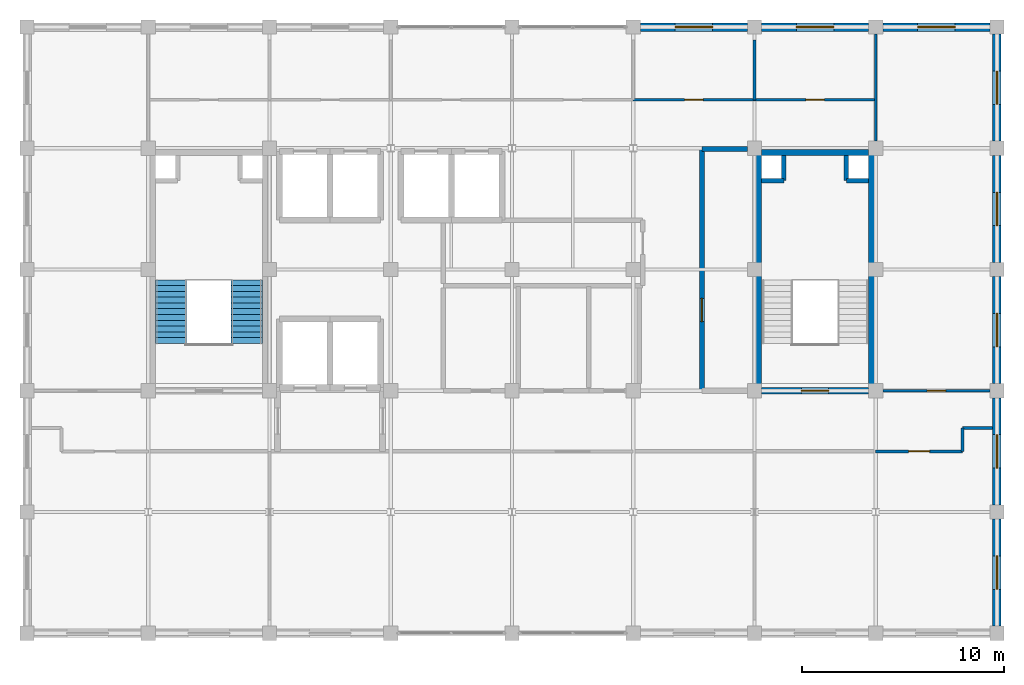
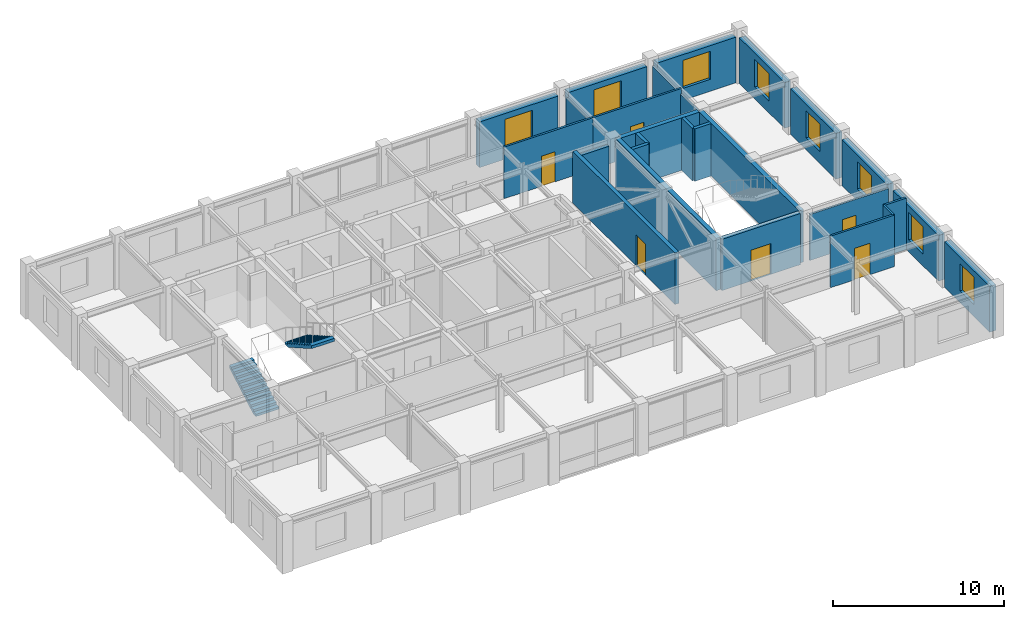
# One storey, part 11 of 13: 26 walls, 8 windows, 6 doors, 2 stair flights, 14 openings, 1 element without a shape of its own.
"""IFC4 building model written with IfcOpenShell, lengths in metres."""

from ifc_helpers import new_model, si_unit, direction, frame, frame_2d, origin, place, context, subcontext, project, spatial, polyline, rectangle, outline, extrude, material, layer, layer_set, type_object, element, fill, aggregate, save


model = new_model("IFC4")

# Units and contexts
model_context = context("Model", 3, precision=1e-05, world=origin(), true_north=direction((0.0, 1.0)))
body_context = subcontext(model_context, "Body", "Model", "MODEL_VIEW")
ifc_project = project(units=[si_unit("LENGTHUNIT", "METRE"), si_unit("AREAUNIT", "SQUARE_METRE"), si_unit("VOLUMEUNIT", "CUBIC_METRE"), si_unit("PLANEANGLEUNIT", "RADIAN"), si_unit("MASSUNIT", "GRAM", prefix="KILO")], contexts=[model_context])

# Site, building, storey
site_placement = place(None, origin())
site = spatial("IfcSite", under=ifc_project, at=site_placement, CompositionType="ELEMENT")
building_placement = place(site_placement, origin())
building = spatial("IfcBuilding", under=site, at=building_placement, Name="Zlatovratsky Civic Hall", CompositionType="ELEMENT")
storey_placement = place(building_placement, frame((0.0, 0.0, 48.300048828125)))
storey = spatial("IfcBuildingStorey", under=building, at=storey_placement, Name="L12", CompositionType="ELEMENT", Elevation=48.300048828125)

# Wall, opening, door
ifc_material_1 = material(Name="Acoustic ceramic blockwork", Category="masonry")
ifc_layer_1 = layer(ifc_material_1, 0.260009765625)
ifc_layer_set_1 = layer_set([ifc_layer_1], Name="Acoustic ceramic blockwork")
wall_type_1 = type_object("IfcWallType", Name="Wall_ArchiveCompartment_260", PredefinedType="PARTITIONING", material=ifc_layer_set_1)
wall_1_placement = place(storey_placement, frame((93.39990234375, 84.0, 0.0), z_axis=(0.0, 0.0, 1.0), x_axis=(0.0, 1.0, 0.0)))
wall_1 = element("IfcWall", 1, at=wall_1_placement, inside=storey, type_object=wall_type_1, Name="WL-6564", PredefinedType="PARTITIONING", context=body_context, shape_type="SweptSolid", body=[
    extrude(rectangle(XDim=11.9599609375, YDim=0.260009765625, at=frame_2d((5.97998046875, 0.0))), origin(), (0.0, 0.0, 1.0), 3.679931640625),
])
opening_1_placement = place(wall_1_placement, frame((3.425048828125, 0.0, 0.0)))
opening_1 = element("IfcOpeningElement", 2, at=opening_1_placement, cuts=wall_1, Name="Opening D-31", PredefinedType="OPENING", context=body_context, shape_type="SweptSolid", body=[
    extrude(rectangle(XDim=1.14990234375, YDim=2.199951171875, at=frame_2d((0.574951171875, 1.10009765625))), frame((0.0, 0.14501953125, 0.0), z_axis=(0.0, -1.0, 0.0), x_axis=(1.0, 0.0, 0.0)), (0.0, 0.0, 1.0), 0.289794921875),
])
ifc_material_2 = material(Name="Insulated painted fire-rated steel leaf", Category="steel")
door_type_1 = type_object("IfcDoorType", Name="Door_RecordsVault_1150x2200", OperationType="NOTDEFINED", PredefinedType="DOOR", material=ifc_material_2)
door_1_placement = place(opening_1_placement, origin())
door_1 = element("IfcDoor", 3, at=door_1_placement, inside=storey, type_object=door_type_1, Name="DR-5467", OperationType="SINGLE_SWING_LEFT", OverallHeight=2.199951171875, OverallWidth=1.14990234375, PredefinedType="DOOR", context=body_context, shape_type="SweptSolid", body=[
    extrude(rectangle(XDim=1.14990234375, YDim=2.199951171875, at=frame_2d((0.574951171875, 1.10009765625))), frame((0.0, 0.02490234375, 0.0), z_axis=(0.0, -1.0, 0.0), x_axis=(1.0, 0.0, 0.0)), (0.0, 0.0, 1.0), 0.050048828125),
])
fill(opening_1, door_1)

# Wall
wall_2_placement = place(storey_placement, frame((93.39990234375, 95.9599609375, 0.0), z_axis=(0.0, 0.0, 1.0), x_axis=(1.0, 0.0, 0.0)))
element("IfcWall", 4, at=wall_2_placement, inside=storey, type_object=wall_type_1, Name="WL-6566", PredefinedType="PARTITIONING", context=body_context, shape_type="SweptSolid", body=[
    extrude(rectangle(XDim=2.25, YDim=0.260009765625, at=frame_2d((1.125, 0.0))), origin(), (0.0, 0.0, 1.0), 3.287841796875),
])

# Wall, opening, door
ifc_material_3 = material(Name="Fire-rated gypsum board framing", Category="gypsum")
ifc_layer_2 = layer(ifc_material_3, 0.139892578125)
ifc_layer_set_2 = layer_set([ifc_layer_2], Name="Fire-rated gypsum board framing")
wall_type_2 = type_object("IfcWallType", Name="Wall_OfficePartition_140", PredefinedType="PARTITIONING", material=ifc_layer_set_2)
wall_3_placement = place(storey_placement, frame((102.0, 81.0, 0.0), z_axis=(0.0, 0.0, 1.0), x_axis=(1.0, 0.0, 0.0)))
wall_3 = element("IfcWall", 5, at=wall_3_placement, inside=storey, type_object=wall_type_2, Name="WL-6578", PredefinedType="PARTITIONING", context=body_context, shape_type="SweptSolid", body=[
    extrude(rectangle(XDim=4.300048828125, YDim=0.139892578125, at=frame_2d((2.14990234375, 0.0))), origin(), (0.0, 0.0, 1.0), 3.679931640625),
])
opening_2_placement = place(wall_3_placement, frame((1.625, 0.0, 0.0)))
opening_2 = element("IfcOpeningElement", 6, at=opening_2_placement, cuts=wall_3, Name="Opening D-24", PredefinedType="OPENING", context=body_context, shape_type="SweptSolid", body=[
    extrude(rectangle(XDim=1.050048828125, YDim=2.25, at=frame_2d((0.52490234375, 1.125))), frame((0.0, 0.0849609375, 0.0), z_axis=(0.0, -1.0, 0.0), x_axis=(1.0, 0.0, 0.0)), (0.0, 0.0, 1.0), 0.169677734375),
])
ifc_material_4 = material(Name="Solid oak joinery in steel frame", Category="steel")
door_type_2 = type_object("IfcDoorType", Name="Door_DirectorateOffice_1050x2250", OperationType="NOTDEFINED", PredefinedType="DOOR", material=ifc_material_4)
door_2_placement = place(opening_2_placement, origin())
door_2 = element("IfcDoor", 7, at=door_2_placement, inside=storey, type_object=door_type_2, Name="DR-5476", OperationType="SINGLE_SWING_RIGHT", OverallHeight=2.25, OverallWidth=1.050048828125, PredefinedType="DOOR", context=body_context, shape_type="SweptSolid", body=[
    extrude(rectangle(XDim=1.050048828125, YDim=2.25, at=frame_2d((0.52490234375, 1.125))), frame((0.0, 0.02490234375, 0.0), z_axis=(0.0, -1.0, 0.0), x_axis=(1.0, 0.0, 0.0)), (0.0, 0.0, 1.0), 0.050048828125),
])
fill(opening_2, door_2)

wall_4_placement = place(storey_placement, frame((102.35009765625, 84.0, 0.0), z_axis=(0.0, 0.0, 1.0), x_axis=(1.0, 0.0, 0.0)))
wall_4 = element("IfcWall", 8, at=wall_4_placement, inside=storey, type_object=wall_type_2, Name="WL-6580", PredefinedType="PARTITIONING", context=body_context, shape_type="SweptSolid", body=[
    extrude(rectangle(XDim=5.2998046875, YDim=0.139892578125, at=frame_2d((2.64990234375, 0.0))), origin(), (0.0, 0.0, 1.0), 3.287841796875),
])
opening_3_placement = place(wall_4_placement, frame((2.18994140625, 0.0, 0.0)))
opening_3 = element("IfcOpeningElement", 9, at=opening_3_placement, cuts=wall_4, Name="Opening D-23", PredefinedType="OPENING", context=body_context, shape_type="SweptSolid", body=[
    extrude(rectangle(XDim=0.919921875, YDim=2.14990234375, at=frame_2d((0.4599609375, 1.074951171875))), frame((0.0, 0.0849609375, 0.0), z_axis=(0.0, -1.0, 0.0), x_axis=(1.0, 0.0, 0.0)), (0.0, 0.0, 1.0), 0.169677734375),
])
door_type_3 = type_object("IfcDoorType", Name="Door_OfficeStandard_920x2150", OperationType="NOTDEFINED", PredefinedType="DOOR", material=ifc_material_4)
door_3_placement = place(opening_3_placement, origin())
door_3 = element("IfcDoor", 10, at=door_3_placement, inside=storey, type_object=door_type_3, Name="DR-5478", OperationType="SINGLE_SWING_LEFT", OverallHeight=2.14990234375, OverallWidth=0.919921875, PredefinedType="DOOR", context=body_context, shape_type="SweptSolid", body=[
    extrude(rectangle(XDim=0.919921875, YDim=2.14990234375, at=frame_2d((0.4599609375, 1.074951171875))), frame((0.0, 0.02490234375, 0.0), z_axis=(0.0, -1.0, 0.0), x_axis=(1.0, 0.0, 0.0)), (0.0, 0.0, 1.0), 0.050048828125),
])
fill(opening_3, door_3)

wall_5_placement = place(storey_placement, frame((90.0, 98.39990234375, 0.0), z_axis=(0.0, 0.0, 1.0), x_axis=(1.0, 0.0, 0.0)))
wall_5 = element("IfcWall", 11, at=wall_5_placement, inside=storey, type_object=wall_type_2, Name="WL-6585", PredefinedType="PARTITIONING", context=body_context, shape_type="SweptSolid", body=[
    extrude(rectangle(XDim=6.0, YDim=0.139892578125, at=frame_2d((3.0, 0.0))), origin(), (0.0, 0.0, 1.0), 3.679931640625),
])
opening_4_placement = place(wall_5_placement, frame((2.5400390625, 0.0, 0.0)))
opening_4 = element("IfcOpeningElement", 12, at=opening_4_placement, cuts=wall_5, Name="Opening D-23", PredefinedType="OPENING", context=body_context, shape_type="SweptSolid", body=[
    extrude(rectangle(XDim=0.919921875, YDim=2.14990234375, at=frame_2d((0.4599609375, 1.074951171875))), frame((0.0, 0.0849609375, 0.0), z_axis=(0.0, -1.0, 0.0), x_axis=(1.0, 0.0, 0.0)), (0.0, 0.0, 1.0), 0.169677734375),
])
door_4_placement = place(opening_4_placement, origin())
door_4 = element("IfcDoor", 13, at=door_4_placement, inside=storey, type_object=door_type_3, Name="DR-5483", OperationType="SINGLE_SWING_RIGHT", OverallHeight=2.14990234375, OverallWidth=0.919921875, PredefinedType="DOOR", context=body_context, shape_type="SweptSolid", body=[
    extrude(rectangle(XDim=0.919921875, YDim=2.14990234375, at=frame_2d((0.4599609375, 1.074951171875))), frame((0.0, 0.02490234375, 0.0), z_axis=(0.0, -1.0, 0.0), x_axis=(1.0, 0.0, 0.0)), (0.0, 0.0, 1.0), 0.050048828125),
])
fill(opening_4, door_4)

wall_6_placement = place(storey_placement, frame((96.0, 98.39990234375, 0.0), z_axis=(0.0, 0.0, 1.0), x_axis=(1.0, 0.0, 0.0)))
wall_6 = element("IfcWall", 14, at=wall_6_placement, inside=storey, type_object=wall_type_2, Name="WL-6586", PredefinedType="PARTITIONING", context=body_context, shape_type="SweptSolid", body=[
    extrude(rectangle(XDim=6.0, YDim=0.139892578125, at=frame_2d((3.0, 0.0))), origin(), (0.0, 0.0, 1.0), 3.679931640625),
])
opening_5_placement = place(wall_6_placement, frame((2.5400390625, 0.0, 0.0)))
opening_5 = element("IfcOpeningElement", 15, at=opening_5_placement, cuts=wall_6, Name="Opening D-23", PredefinedType="OPENING", context=body_context, shape_type="SweptSolid", body=[
    extrude(rectangle(XDim=0.919921875, YDim=2.14990234375, at=frame_2d((0.4599609375, 1.074951171875))), frame((0.0, 0.0849609375, 0.0), z_axis=(0.0, -1.0, 0.0), x_axis=(1.0, 0.0, 0.0)), (0.0, 0.0, 1.0), 0.169677734375),
])
door_5_placement = place(opening_5_placement, origin())
door_5 = element("IfcDoor", 16, at=door_5_placement, inside=storey, type_object=door_type_3, Name="DR-5484", OperationType="SINGLE_SWING_RIGHT", OverallHeight=2.14990234375, OverallWidth=0.919921875, PredefinedType="DOOR", context=body_context, shape_type="SweptSolid", body=[
    extrude(rectangle(XDim=0.919921875, YDim=2.14990234375, at=frame_2d((0.4599609375, 1.074951171875))), frame((0.0, 0.02490234375, 0.0), z_axis=(0.0, -1.0, 0.0), x_axis=(1.0, 0.0, 0.0)), (0.0, 0.0, 1.0), 0.050048828125),
])
fill(opening_5, door_5)

# Walls
wall_7_placement = place(storey_placement, frame((96.0, 98.39990234375, 0.0), z_axis=(0.0, 0.0, 1.0), x_axis=(0.0, 1.0, 0.0)))
element("IfcWall", 17, at=wall_7_placement, inside=storey, type_object=wall_type_2, Name="WL-6593", PredefinedType="PARTITIONING", context=body_context, shape_type="SweptSolid", body=[
    extrude(rectangle(XDim=2.9501953125, YDim=0.139892578125, at=frame_2d((1.47509765625, 0.0))), origin(), (0.0, 0.0, 1.0), 3.287841796875),
])
wall_8_placement = place(storey_placement, frame((106.300048828125, 81.0, 0.0), z_axis=(0.0, 0.0, 1.0), x_axis=(0.0, 1.0, 0.0)))
element("IfcWall", 18, at=wall_8_placement, inside=storey, type_object=wall_type_2, Name="WL-6602", PredefinedType="PARTITIONING", context=body_context, shape_type="SweptSolid", body=[
    extrude(rectangle(XDim=1.14990234375, YDim=0.139892578125, at=frame_2d((0.574951171875, 0.0))), origin(), (0.0, 0.0, 1.0), 3.679931640625),
])
wall_9_placement = place(storey_placement, frame((106.300048828125, 82.14990234375, 0.0), z_axis=(0.0, 0.0, 1.0), x_axis=(1.0, 0.0, 0.0)))
element("IfcWall", 19, at=wall_9_placement, inside=storey, type_object=wall_type_2, Name="WL-6603", PredefinedType="PARTITIONING", context=body_context, shape_type="SweptSolid", body=[
    extrude(rectangle(XDim=1.489990234375, YDim=0.139892578125, at=frame_2d((0.7451171875, 0.0))), origin(), (0.0, 0.0, 1.0), 3.679931640625),
])
wall_10_placement = place(storey_placement, frame((102.0, 96.35009765625, 0.0), z_axis=(0.0, 0.0, 1.0), x_axis=(0.0, 1.0, 0.0)))
element("IfcWall", 20, at=wall_10_placement, inside=storey, type_object=wall_type_2, Name="WL-6605", PredefinedType="PARTITIONING", context=body_context, shape_type="SweptSolid", body=[
    extrude(rectangle(XDim=5.2998046875, YDim=0.139892578125, at=frame_2d((2.64990234375, 0.0))), origin(), (0.0, 0.0, 1.0), 3.287841796875),
])
ifc_layer_3 = layer(ifc_material_1, 0.219970703125)
ifc_layer_set_3 = layer_set([ifc_layer_3], Name="Acoustic ceramic blockwork")
wall_type_3 = type_object("IfcWallType", Name="Wall_SanitaryWetCore_220", PredefinedType="PARTITIONING", material=ifc_layer_set_3)
wall_11_placement = place(storey_placement, frame((97.449951171875, 94.39990234375, 0.0), z_axis=(0.0, 0.0, 1.0), x_axis=(0.0, 1.0, 0.0)))
element("IfcWall", 21, at=wall_11_placement, inside=storey, type_object=wall_type_3, Name="WL-5259", PredefinedType="PARTITIONING", context=body_context, shape_type="SweptSolid", body=[
    extrude(rectangle(XDim=1.25, YDim=0.219970703125, at=frame_2d((0.625, 0.0))), origin(), (0.0, 0.0, 1.0), 3.739990234375),
])
wall_12_placement = place(storey_placement, frame((96.35009765625, 94.39990234375, 0.0), z_axis=(0.0, 0.0, 1.0), x_axis=(1.0, 0.0, 0.0)))
element("IfcWall", 22, at=wall_12_placement, inside=storey, type_object=wall_type_3, Name="WL-5260", PredefinedType="PARTITIONING", context=body_context, shape_type="SweptSolid", body=[
    extrude(rectangle(XDim=1.099853515625, YDim=0.219970703125, at=frame_2d((0.5498046875, 0.0))), origin(), (0.0, 0.0, 1.0), 3.739990234375),
])
wall_13_placement = place(storey_placement, frame((100.550048828125, 94.39990234375, 0.0), z_axis=(0.0, 0.0, 1.0), x_axis=(0.0, 1.0, 0.0)))
element("IfcWall", 23, at=wall_13_placement, inside=storey, type_object=wall_type_3, Name="WL-5261", PredefinedType="PARTITIONING", context=body_context, shape_type="SweptSolid", body=[
    extrude(rectangle(XDim=1.25, YDim=0.219970703125, at=frame_2d((0.625, 0.0))), origin(), (0.0, 0.0, 1.0), 3.739990234375),
])
wall_14_placement = place(storey_placement, frame((100.550048828125, 94.39990234375, 0.0), z_axis=(0.0, 0.0, 1.0), x_axis=(1.0, 0.0, 0.0)))
element("IfcWall", 24, at=wall_14_placement, inside=storey, type_object=wall_type_3, Name="WL-5262", PredefinedType="PARTITIONING", context=body_context, shape_type="SweptSolid", body=[
    extrude(rectangle(XDim=1.099853515625, YDim=0.219970703125, at=frame_2d((0.5498046875, 0.0))), origin(), (0.0, 0.0, 1.0), 3.739990234375),
])

# Wall, opening, door
ifc_material_5 = material(Name="Concrete C35/45 (B40)", Category="concrete")
ifc_layer_4 = layer(ifc_material_5, 0.300048828125)
ifc_layer_set_4 = layer_set([ifc_layer_4], Name="Concrete C35/45 (B40)")
wall_type_4 = type_object("IfcWallType", Name="Wall_StairAndLiftShaft_300", PredefinedType="SHEAR", material=ifc_layer_set_4)
wall_15_placement = place(storey_placement, frame((96.35009765625, 84.0, 0.0), z_axis=(0.0, 0.0, 1.0), x_axis=(1.0, 0.0, 0.0)))
wall_15 = element("IfcWall", 25, at=wall_15_placement, inside=storey, type_object=wall_type_4, Name="WL-5255", PredefinedType="SHEAR", context=body_context, shape_type="SweptSolid", body=[
    extrude(rectangle(XDim=5.2998046875, YDim=0.300048828125, at=frame_2d((2.64990234375, 0.0))), origin(), (0.0, 0.0, 1.0), 3.659912109375),
])
opening_6_placement = place(wall_15_placement, frame((1.97509765625, 0.0, 0.0)))
opening_6 = element("IfcOpeningElement", 26, at=opening_6_placement, cuts=wall_15, Name="Opening D-17", PredefinedType="OPENING", context=body_context, shape_type="SweptSolid", body=[
    extrude(rectangle(XDim=1.35009765625, YDim=2.199951171875, at=frame_2d((0.675048828125, 1.10009765625))), frame((0.0, 0.1650390625, 0.0), z_axis=(0.0, -1.0, 0.0), x_axis=(1.0, 0.0, 0.0)), (0.0, 0.0, 1.0), 0.329833984375),
])
door_type_4 = type_object("IfcDoorType", Name="Door_StairwellFireTower_1350x2200", OperationType="NOTDEFINED", PredefinedType="DOOR", material=ifc_material_2)
door_6_placement = place(opening_6_placement, origin())
door_6 = element("IfcDoor", 27, at=door_6_placement, inside=storey, type_object=door_type_4, Name="DR-5032", OperationType="SINGLE_SWING_LEFT", OverallHeight=2.199951171875, OverallWidth=1.35009765625, PredefinedType="DOOR", context=body_context, shape_type="SweptSolid", body=[
    extrude(rectangle(XDim=1.35009765625, YDim=2.199951171875, at=frame_2d((0.675048828125, 1.10009765625))), frame((0.0, 0.02490234375, 0.0), z_axis=(0.0, -1.0, 0.0), x_axis=(1.0, 0.0, 0.0)), (0.0, 0.0, 1.0), 0.050048828125),
])
fill(opening_6, door_6)

# Walls
wall_16_placement = place(storey_placement, frame((96.35009765625, 95.800048828125, 0.0), z_axis=(0.0, 0.0, 1.0), x_axis=(1.0, 0.0, 0.0)))
element("IfcWall", 28, at=wall_16_placement, inside=storey, type_object=wall_type_4, Name="WL-5256", PredefinedType="SHEAR", context=body_context, shape_type="SweptSolid", body=[
    extrude(rectangle(XDim=5.2998046875, YDim=0.300048828125, at=frame_2d((2.64990234375, 0.0))), origin(), (0.0, 0.0, 1.0), 3.739990234375),
])
for number, where, z_axis, x_axis, name in (
    (29, (96.199951171875, 84.0, 0.0), (0.0, 0.0, 1.0), (0.0, 1.0, 0.0), "WL-5257"),
    (30, (101.800048828125, 84.0, 0.0), (0.0, 0.0, 1.0), (0.0, 1.0, 0.0), "WL-5258"),
):
    element("IfcWall", number, at=place(storey_placement, frame(where, z_axis=z_axis, x_axis=x_axis)), inside=storey, type_object=wall_type_4, Name=name, PredefinedType="SHEAR", context=body_context, shape_type="SweptSolid", body=[
        extrude(rectangle(XDim=11.800048828125, YDim=0.300048828125, at=frame_2d((5.89990234375, 0.0))), origin(), (0.0, 0.0, 1.0), 3.739990234375),
    ])

# Wall, opening, window
ifc_layer_5 = layer(ifc_material_1, 0.280029296875, Name="Backing")
ifc_material_6 = material(Name="Podolsk limestone ashlar", Category="masonry")
ifc_layer_6 = layer(ifc_material_6, 0.139892578125, Name="Finish")
ifc_layer_set_5 = layer_set([ifc_layer_5, ifc_layer_6], Name="Acoustic ceramic blockwork")
wall_type_5 = type_object("IfcWallType", Name="Wall_TowerLimestoneAshlar_420", PredefinedType="SOLIDWALL", material=ifc_layer_set_5)
wall_17_placement = place(storey_placement, frame((90.35009765625, 102.0, 0.0), z_axis=(0.0, 0.0, 1.0), x_axis=(1.0, 0.0, 0.0)))
wall_17 = element("IfcWall", 31, at=wall_17_placement, inside=storey, type_object=wall_type_5, Name="WL-0576", PredefinedType="SOLIDWALL", context=body_context, shape_type="SweptSolid", body=[
    extrude(rectangle(XDim=5.2998046875, YDim=0.419921875, at=frame_2d((2.64990234375, 0.0))), origin(), (0.0, 0.0, 1.0), 3.260009765625),
])
opening_7_placement = place(wall_17_placement, frame((1.72509765625, 0.0, 0.85009765625)))
opening_7 = element("IfcOpeningElement", 32, at=opening_7_placement, cuts=wall_17, Name="Opening WN-18", PredefinedType="OPENING", context=body_context, shape_type="SweptSolid", body=[
    extrude(rectangle(XDim=1.85009765625, YDim=2.0, at=frame_2d((0.925048828125, 1.0))), frame((0.0, 0.224853515625, 0.0), z_axis=(0.0, -1.0, 0.0), x_axis=(1.0, 0.0, 0.0)), (0.0, 0.0, 1.0), 0.44970703125),
])
ifc_material_7 = material(Name="Low-E laminated double glazing", Category="glass")
window_type_1 = type_object("IfcWindowType", Name="Window_TowerTier2North_1850x2000", PartitioningType="SINGLE_PANEL", PredefinedType="WINDOW", material=ifc_material_7)
window_1_placement = place(opening_7_placement, origin())
window_1 = element("IfcWindow", 33, at=window_1_placement, inside=storey, type_object=window_type_1, Name="WN-0450", OverallHeight=2.0, OverallWidth=1.85009765625, PartitioningType="SINGLE_PANEL", PredefinedType="WINDOW", context=body_context, shape_type="SweptSolid", body=[
    extrude(rectangle(XDim=1.85009765625, YDim=2.0, at=frame_2d((0.925048828125, 1.0))), frame((0.0, 0.030029296875, 0.0), z_axis=(0.0, -1.0, 0.0), x_axis=(1.0, 0.0, 0.0)), (0.0, 0.0, 1.0), 0.06005859375),
])
fill(opening_7, window_1)

wall_18_placement = place(storey_placement, frame((96.35009765625, 102.0, 0.0), z_axis=(0.0, 0.0, 1.0), x_axis=(1.0, 0.0, 0.0)))
wall_18 = element("IfcWall", 34, at=wall_18_placement, inside=storey, type_object=wall_type_5, Name="WL-0577", PredefinedType="SOLIDWALL", context=body_context, shape_type="SweptSolid", body=[
    extrude(rectangle(XDim=5.2998046875, YDim=0.419921875, at=frame_2d((2.64990234375, 0.0))), origin(), (0.0, 0.0, 1.0), 3.260009765625),
])
opening_8_placement = place(wall_18_placement, frame((1.72509765625, 0.0, 0.85009765625)))
opening_8 = element("IfcOpeningElement", 35, at=opening_8_placement, cuts=wall_18, Name="Opening WN-18", PredefinedType="OPENING", context=body_context, shape_type="SweptSolid", body=[
    extrude(rectangle(XDim=1.85009765625, YDim=2.0, at=frame_2d((0.925048828125, 1.0))), frame((0.0, 0.224853515625, 0.0), z_axis=(0.0, -1.0, 0.0), x_axis=(1.0, 0.0, 0.0)), (0.0, 0.0, 1.0), 0.44970703125),
])
window_2_placement = place(opening_8_placement, origin())
window_2 = element("IfcWindow", 36, at=window_2_placement, inside=storey, type_object=window_type_1, Name="WN-0451", OverallHeight=2.0, OverallWidth=1.85009765625, PartitioningType="SINGLE_PANEL", PredefinedType="WINDOW", context=body_context, shape_type="SweptSolid", body=[
    extrude(rectangle(XDim=1.85009765625, YDim=2.0, at=frame_2d((0.925048828125, 1.0))), frame((0.0, 0.030029296875, 0.0), z_axis=(0.0, -1.0, 0.0), x_axis=(1.0, 0.0, 0.0)), (0.0, 0.0, 1.0), 0.06005859375),
])
fill(opening_8, window_2)

wall_19_placement = place(storey_placement, frame((102.35009765625, 102.0, 0.0), z_axis=(0.0, 0.0, 1.0), x_axis=(1.0, 0.0, 0.0)))
wall_19 = element("IfcWall", 37, at=wall_19_placement, inside=storey, type_object=wall_type_5, Name="WL-0578", PredefinedType="SOLIDWALL", context=body_context, shape_type="SweptSolid", body=[
    extrude(rectangle(XDim=5.2998046875, YDim=0.419921875, at=frame_2d((2.64990234375, 0.0))), origin(), (0.0, 0.0, 1.0), 3.260009765625),
])
opening_9_placement = place(wall_19_placement, frame((1.72509765625, 0.0, 0.85009765625)))
opening_9 = element("IfcOpeningElement", 38, at=opening_9_placement, cuts=wall_19, Name="Opening WN-18", PredefinedType="OPENING", context=body_context, shape_type="SweptSolid", body=[
    extrude(rectangle(XDim=1.85009765625, YDim=2.0, at=frame_2d((0.925048828125, 1.0))), frame((0.0, 0.224853515625, 0.0), z_axis=(0.0, -1.0, 0.0), x_axis=(1.0, 0.0, 0.0)), (0.0, 0.0, 1.0), 0.44970703125),
])
window_3_placement = place(opening_9_placement, origin())
window_3 = element("IfcWindow", 39, at=window_3_placement, inside=storey, type_object=window_type_1, Name="WN-0452", OverallHeight=2.0, OverallWidth=1.85009765625, PartitioningType="SINGLE_PANEL", PredefinedType="WINDOW", context=body_context, shape_type="SweptSolid", body=[
    extrude(rectangle(XDim=1.85009765625, YDim=2.0, at=frame_2d((0.925048828125, 1.0))), frame((0.0, 0.030029296875, 0.0), z_axis=(0.0, -1.0, 0.0), x_axis=(1.0, 0.0, 0.0)), (0.0, 0.0, 1.0), 0.06005859375),
])
fill(opening_9, window_3)

wall_20_placement = place(storey_placement, frame((108.0, 72.35009765625, 0.0), z_axis=(0.0, 0.0, 1.0), x_axis=(0.0, 1.0, 0.0)))
wall_20 = element("IfcWall", 40, at=wall_20_placement, inside=storey, type_object=wall_type_5, Name="WL-0584", PredefinedType="SOLIDWALL", context=body_context, shape_type="SweptSolid", body=[
    extrude(rectangle(XDim=5.2998046875, YDim=0.419921875, at=frame_2d((2.64990234375, 0.0))), origin(), (0.0, 0.0, 1.0), 3.260009765625),
])
opening_10_placement = place(wall_20_placement, frame((1.824951171875, 0.0, 0.85009765625)))
opening_10 = element("IfcOpeningElement", 41, at=opening_10_placement, cuts=wall_20, Name="Opening WN-19", PredefinedType="OPENING", context=body_context, shape_type="SweptSolid", body=[
    extrude(rectangle(XDim=1.64990234375, YDim=1.949951171875, at=frame_2d((0.824951171875, 0.97509765625))), frame((0.0, 0.224853515625, 0.0), z_axis=(0.0, -1.0, 0.0), x_axis=(1.0, 0.0, 0.0)), (0.0, 0.0, 1.0), 0.44970703125),
])
window_type_2 = type_object("IfcWindowType", Name="Window_TowerTier2Flank_1650x1950", PartitioningType="SINGLE_PANEL", PredefinedType="WINDOW", material=ifc_material_7)
window_4_placement = place(opening_10_placement, origin())
window_4 = element("IfcWindow", 42, at=window_4_placement, inside=storey, type_object=window_type_2, Name="WN-0458", OverallHeight=1.949951171875, OverallWidth=1.64990234375, PartitioningType="SINGLE_PANEL", PredefinedType="WINDOW", context=body_context, shape_type="SweptSolid", body=[
    extrude(rectangle(XDim=1.64990234375, YDim=1.949951171875, at=frame_2d((0.824951171875, 0.97509765625))), frame((0.0, 0.030029296875, 0.0), z_axis=(0.0, -1.0, 0.0), x_axis=(1.0, 0.0, 0.0)), (0.0, 0.0, 1.0), 0.06005859375),
])
fill(opening_10, window_4)

wall_21_placement = place(storey_placement, frame((108.0, 78.35009765625, 0.0), z_axis=(0.0, 0.0, 1.0), x_axis=(0.0, 1.0, 0.0)))
wall_21 = element("IfcWall", 43, at=wall_21_placement, inside=storey, type_object=wall_type_5, Name="WL-0585", PredefinedType="SOLIDWALL", context=body_context, shape_type="SweptSolid", body=[
    extrude(rectangle(XDim=5.2998046875, YDim=0.419921875, at=frame_2d((2.64990234375, 0.0))), origin(), (0.0, 0.0, 1.0), 3.260009765625),
])
opening_11_placement = place(wall_21_placement, frame((1.824951171875, 0.0, 0.85009765625)))
opening_11 = element("IfcOpeningElement", 44, at=opening_11_placement, cuts=wall_21, Name="Opening WN-19", PredefinedType="OPENING", context=body_context, shape_type="SweptSolid", body=[
    extrude(rectangle(XDim=1.64990234375, YDim=1.949951171875, at=frame_2d((0.824951171875, 0.97509765625))), frame((0.0, 0.224853515625, 0.0), z_axis=(0.0, -1.0, 0.0), x_axis=(1.0, 0.0, 0.0)), (0.0, 0.0, 1.0), 0.44970703125),
])
window_5_placement = place(opening_11_placement, origin())
window_5 = element("IfcWindow", 45, at=window_5_placement, inside=storey, type_object=window_type_2, Name="WN-0459", OverallHeight=1.949951171875, OverallWidth=1.64990234375, PartitioningType="SINGLE_PANEL", PredefinedType="WINDOW", context=body_context, shape_type="SweptSolid", body=[
    extrude(rectangle(XDim=1.64990234375, YDim=1.949951171875, at=frame_2d((0.824951171875, 0.97509765625))), frame((0.0, 0.030029296875, 0.0), z_axis=(0.0, -1.0, 0.0), x_axis=(1.0, 0.0, 0.0)), (0.0, 0.0, 1.0), 0.06005859375),
])
fill(opening_11, window_5)

wall_22_placement = place(storey_placement, frame((108.0, 84.35009765625, 0.0), z_axis=(0.0, 0.0, 1.0), x_axis=(0.0, 1.0, 0.0)))
wall_22 = element("IfcWall", 46, at=wall_22_placement, inside=storey, type_object=wall_type_5, Name="WL-0586", PredefinedType="SOLIDWALL", context=body_context, shape_type="SweptSolid", body=[
    extrude(rectangle(XDim=5.2998046875, YDim=0.419921875, at=frame_2d((2.64990234375, 0.0))), origin(), (0.0, 0.0, 1.0), 3.260009765625),
])
opening_12_placement = place(wall_22_placement, frame((1.824951171875, 0.0, 0.85009765625)))
opening_12 = element("IfcOpeningElement", 47, at=opening_12_placement, cuts=wall_22, Name="Opening WN-19", PredefinedType="OPENING", context=body_context, shape_type="SweptSolid", body=[
    extrude(rectangle(XDim=1.64990234375, YDim=1.949951171875, at=frame_2d((0.824951171875, 0.97509765625))), frame((0.0, 0.224853515625, 0.0), z_axis=(0.0, -1.0, 0.0), x_axis=(1.0, 0.0, 0.0)), (0.0, 0.0, 1.0), 0.44970703125),
])
window_6_placement = place(opening_12_placement, origin())
window_6 = element("IfcWindow", 48, at=window_6_placement, inside=storey, type_object=window_type_2, Name="WN-0460", OverallHeight=1.949951171875, OverallWidth=1.64990234375, PartitioningType="SINGLE_PANEL", PredefinedType="WINDOW", context=body_context, shape_type="SweptSolid", body=[
    extrude(rectangle(XDim=1.64990234375, YDim=1.949951171875, at=frame_2d((0.824951171875, 0.97509765625))), frame((0.0, 0.030029296875, 0.0), z_axis=(0.0, -1.0, 0.0), x_axis=(1.0, 0.0, 0.0)), (0.0, 0.0, 1.0), 0.06005859375),
])
fill(opening_12, window_6)

wall_23_placement = place(storey_placement, frame((108.0, 90.35009765625, 0.0), z_axis=(0.0, 0.0, 1.0), x_axis=(0.0, 1.0, 0.0)))
wall_23 = element("IfcWall", 49, at=wall_23_placement, inside=storey, type_object=wall_type_5, Name="WL-0587", PredefinedType="SOLIDWALL", context=body_context, shape_type="SweptSolid", body=[
    extrude(rectangle(XDim=5.2998046875, YDim=0.419921875, at=frame_2d((2.64990234375, 0.0))), origin(), (0.0, 0.0, 1.0), 3.260009765625),
])
opening_13_placement = place(wall_23_placement, frame((1.824951171875, 0.0, 0.85009765625)))
opening_13 = element("IfcOpeningElement", 50, at=opening_13_placement, cuts=wall_23, Name="Opening WN-19", PredefinedType="OPENING", context=body_context, shape_type="SweptSolid", body=[
    extrude(rectangle(XDim=1.64990234375, YDim=1.949951171875, at=frame_2d((0.824951171875, 0.97509765625))), frame((0.0, 0.224853515625, 0.0), z_axis=(0.0, -1.0, 0.0), x_axis=(1.0, 0.0, 0.0)), (0.0, 0.0, 1.0), 0.44970703125),
])
window_7_placement = place(opening_13_placement, origin())
window_7 = element("IfcWindow", 51, at=window_7_placement, inside=storey, type_object=window_type_2, Name="WN-0461", OverallHeight=1.949951171875, OverallWidth=1.64990234375, PartitioningType="SINGLE_PANEL", PredefinedType="WINDOW", context=body_context, shape_type="SweptSolid", body=[
    extrude(rectangle(XDim=1.64990234375, YDim=1.949951171875, at=frame_2d((0.824951171875, 0.97509765625))), frame((0.0, 0.030029296875, 0.0), z_axis=(0.0, -1.0, 0.0), x_axis=(1.0, 0.0, 0.0)), (0.0, 0.0, 1.0), 0.06005859375),
])
fill(opening_13, window_7)

wall_24_placement = place(storey_placement, frame((108.0, 96.35009765625, 0.0), z_axis=(0.0, 0.0, 1.0), x_axis=(0.0, 1.0, 0.0)))
wall_24 = element("IfcWall", 52, at=wall_24_placement, inside=storey, type_object=wall_type_5, Name="WL-0588", PredefinedType="SOLIDWALL", context=body_context, shape_type="SweptSolid", body=[
    extrude(rectangle(XDim=5.2998046875, YDim=0.419921875, at=frame_2d((2.64990234375, 0.0))), origin(), (0.0, 0.0, 1.0), 3.260009765625),
])
opening_14_placement = place(wall_24_placement, frame((1.824951171875, 0.0, 0.85009765625)))
opening_14 = element("IfcOpeningElement", 53, at=opening_14_placement, cuts=wall_24, Name="Opening WN-19", PredefinedType="OPENING", context=body_context, shape_type="SweptSolid", body=[
    extrude(rectangle(XDim=1.64990234375, YDim=1.949951171875, at=frame_2d((0.824951171875, 0.97509765625))), frame((0.0, 0.224853515625, 0.0), z_axis=(0.0, -1.0, 0.0), x_axis=(1.0, 0.0, 0.0)), (0.0, 0.0, 1.0), 0.44970703125),
])
window_8_placement = place(opening_14_placement, origin())
window_8 = element("IfcWindow", 54, at=window_8_placement, inside=storey, type_object=window_type_2, Name="WN-0462", OverallHeight=1.949951171875, OverallWidth=1.64990234375, PartitioningType="SINGLE_PANEL", PredefinedType="WINDOW", context=body_context, shape_type="SweptSolid", body=[
    extrude(rectangle(XDim=1.64990234375, YDim=1.949951171875, at=frame_2d((0.824951171875, 0.97509765625))), frame((0.0, 0.030029296875, 0.0), z_axis=(0.0, -1.0, 0.0), x_axis=(1.0, 0.0, 0.0)), (0.0, 0.0, 1.0), 0.06005859375),
])
fill(opening_14, window_8)

# Stair, stair flights
ifc_material_8 = material(Name="Concrete C30/37 (B35)", Category="concrete")
stair_type = type_object("IfcStairType", Name="Stair_HALF_24R_1550W_04", PredefinedType="HALF_TURN_STAIR", material=ifc_material_8)
stair_placement = place(storey_placement, origin())
stair = element("IfcStair", 55, at=stair_placement, inside=storey, type_object=stair_type, Name="ST-013", PredefinedType="HALF_TURN_STAIR")
stair_flight_type = type_object("IfcStairFlightType", Name="StairFlight_12R_1550W_04", PredefinedType="STRAIGHT", material=ifc_material_8)
stair_flight_1_placement = place(storey_placement, frame((67.125, 86.35009765625, 0.0), z_axis=(0.0, 0.0, 1.0), x_axis=(0.0, 1.0, 0.0)))
stair_flight_1 = element("IfcStairFlight", 56, at=stair_flight_1_placement, type_object=stair_flight_type, Name="ST-013-F1", NumberOfRisers=12, NumberOfTreads=11, PredefinedType="STRAIGHT", RiserHeight=0.1625, TreadLength=0.285, context=body_context, shape_type="SweptSolid", body=[
    extrude(outline(polyline([(0.0, 0.0), (0.0, 0.16259765625), (0.284912109375, 0.16259765625), (0.284912109375, 0.324951171875), (0.570068359375, 0.324951171875), (0.570068359375, 0.487548828125), (0.85498046875, 0.487548828125), (0.85498046875, 0.64990234375), (1.139892578125, 0.64990234375), (1.139892578125, 0.8125), (1.425048828125, 0.8125), (1.425048828125, 0.97509765625), (1.7099609375, 0.97509765625), (1.7099609375, 1.137451171875), (1.9951171875, 1.137451171875), (1.9951171875, 1.300048828125), (2.280029296875, 1.300048828125), (2.280029296875, 1.46240234375), (2.56494140625, 1.46240234375), (2.56494140625, 1.625), (2.85009765625, 1.625), (2.85009765625, 1.78759765625), (3.135009765625, 1.78759765625), (3.135009765625, 1.949951171875), (3.135009765625, 1.580322265625), (0.36328125, 0.0), (0.0, 0.0)])), frame((0.0, 0.77490234375, 0.0), z_axis=(0.0, -1.0, 0.0), x_axis=(1.0, 0.0, 0.0)), (0.0, 0.0, 1.0), 1.550048828125),
])
stair_flight_2_placement = place(storey_placement, frame((70.875, 89.485107421875, 1.949951171875), z_axis=(0.0, 0.0, 1.0), x_axis=(0.0, -1.0, 0.0)))
stair_flight_2 = element("IfcStairFlight", 57, at=stair_flight_2_placement, type_object=stair_flight_type, Name="ST-013-F2", NumberOfRisers=12, NumberOfTreads=11, PredefinedType="STRAIGHT", RiserHeight=0.1625, TreadLength=0.285, context=body_context, shape_type="SweptSolid", body=[
    extrude(outline(polyline([(0.0, 0.0), (0.0, 0.16259765625), (0.284912109375, 0.16259765625), (0.284912109375, 0.324951171875), (0.570068359375, 0.324951171875), (0.570068359375, 0.487548828125), (0.85498046875, 0.487548828125), (0.85498046875, 0.64990234375), (1.139892578125, 0.64990234375), (1.139892578125, 0.8125), (1.425048828125, 0.8125), (1.425048828125, 0.97509765625), (1.7099609375, 0.97509765625), (1.7099609375, 1.137451171875), (1.9951171875, 1.137451171875), (1.9951171875, 1.300048828125), (2.280029296875, 1.300048828125), (2.280029296875, 1.46240234375), (2.56494140625, 1.46240234375), (2.56494140625, 1.625), (2.85009765625, 1.625), (2.85009765625, 1.78759765625), (3.135009765625, 1.78759765625), (3.135009765625, 1.949951171875), (3.135009765625, 1.580322265625), (0.36328125, 0.0), (0.0, 0.0)])), frame((0.0, 0.77490234375, 0.0), z_axis=(0.0, -1.0, 0.0), x_axis=(1.0, 0.0, 0.0)), (0.0, 0.0, 1.0), 1.550048828125),
])
aggregate(stair, [stair_flight_1, stair_flight_2])

save(model, "model.ifc")
